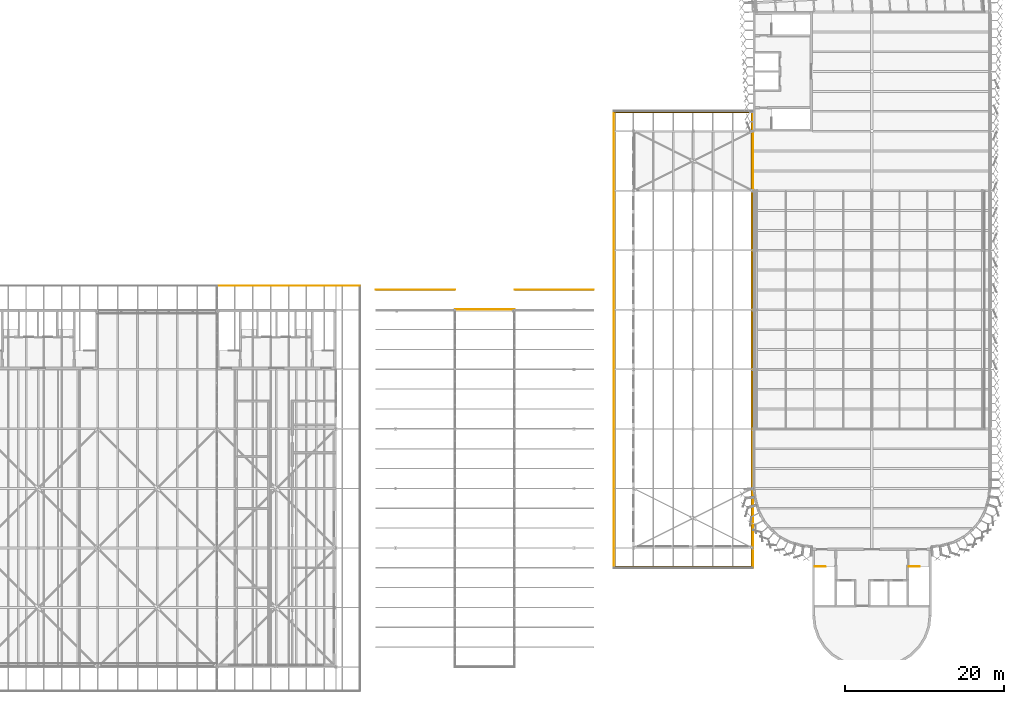
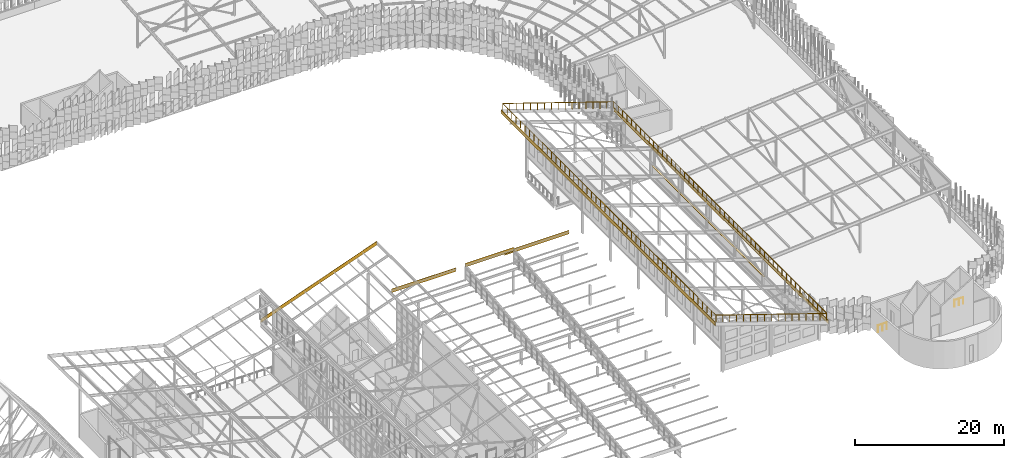
# One storey, part 467 of 483: 10 coverings, 3 railings.
"""IFC4 building model written with IfcOpenShell, lengths in metres."""

from ifc_helpers import new_model, si_unit, direction, frame, origin, origin_2d, place, context, subcontext, project, spatial, polyline, circle, outline, extrude, material, layer, layer_set, type_object, element, save


model = new_model("IFC4")

# Units and contexts
model_context = context("Model", 3, precision=1e-05, world=origin(), true_north=direction((0.0, 1.0)))
body_context = subcontext(model_context, "Body", "Model", "MODEL_VIEW")
ifc_project = project(units=[si_unit("LENGTHUNIT", "METRE"), si_unit("AREAUNIT", "SQUARE_METRE"), si_unit("VOLUMEUNIT", "CUBIC_METRE"), si_unit("PLANEANGLEUNIT", "RADIAN"), si_unit("MASSUNIT", "GRAM", prefix="KILO")], contexts=[model_context])

# Site, building, storey
site_placement = place(None, origin())
site = spatial("IfcSite", under=ifc_project, at=site_placement, CompositionType="ELEMENT")
building_placement = place(site_placement, origin())
building = spatial("IfcBuilding", under=site, at=building_placement, Name="Parallax Yard Mobility Hub", CompositionType="ELEMENT")
storey_placement = place(building_placement, frame((0.0, 0.0, 13.199951171875)))
storey = spatial("IfcBuildingStorey", under=building, at=storey_placement, Name="L04", CompositionType="ELEMENT", Elevation=13.199951171875)

# Coverings
ifc_material_1 = material(Name="Concrete fc' 35 MPa", Category="concrete")
ifc_layer_1 = layer(ifc_material_1, 0.06005859375)
ifc_layer_set_1 = layer_set([ifc_layer_1], Name="Parapet coping, Concrete fc' 35 MPa precast, 240")
covering_type_1 = type_object("IfcCoveringType", Name="Parapet coping, Concrete fc' 35 MPa precast, 240", PredefinedType="USERDEFINED", material=ifc_layer_set_1)
covering_1_placement = place(storey_placement, frame((0.0, 0.0, 1.199951171875)))
element("IfcCovering", 1, at=covering_1_placement, inside=storey, type_object=covering_type_1, Name="Parapet coping run 3 part 1", ObjectType="COPING", PredefinedType="USERDEFINED", context=body_context, shape_type="SweptSolid", body=[
    extrude(outline(polyline([(195.26611328125, 67.49951171875), (195.02587890625, 67.49951171875), (195.02587890625, 59.99951171875), (195.26611328125, 59.99951171875), (195.26611328125, 67.49951171875)])), origin(), (0.0, 0.0, 1.0), 0.06005859375),
])
covering_2_placement = place(storey_placement, frame((0.0, 0.0, 1.199951171875)))
element("IfcCovering", 2, at=covering_2_placement, inside=storey, type_object=covering_type_1, Name="Parapet coping run 3 part 2", ObjectType="COPING", PredefinedType="USERDEFINED", context=body_context, shape_type="SweptSolid", body=[
    extrude(outline(polyline([(195.26611328125, 59.99951171875), (195.02587890625, 59.99951171875), (195.02587890625, 52.49951171875), (195.26611328125, 52.49951171875), (195.26611328125, 59.99951171875)])), origin(), (0.0, 0.0, 1.0), 0.06005859375),
])
covering_3_placement = place(storey_placement, frame((0.0, 0.0, 1.199951171875)))
element("IfcCovering", 3, at=covering_3_placement, inside=storey, type_object=covering_type_1, Name="Parapet coping run 3 part 3", ObjectType="COPING", PredefinedType="USERDEFINED", context=body_context, shape_type="SweptSolid", body=[
    extrude(outline(polyline([(195.26611328125, 52.49951171875), (195.02587890625, 52.49951171875), (195.02587890625, 44.99951171875), (195.26611328125, 44.99951171875), (195.26611328125, 52.49951171875)])), origin(), (0.0, 0.0, 1.0), 0.06005859375),
])
covering_4_placement = place(storey_placement, frame((0.0, 0.0, 1.199951171875)))
element("IfcCovering", 4, at=covering_4_placement, inside=storey, type_object=covering_type_1, Name="Parapet coping run 3 part 4", ObjectType="COPING", PredefinedType="USERDEFINED", context=body_context, shape_type="SweptSolid", body=[
    extrude(outline(polyline([(195.26611328125, 44.99951171875), (195.02587890625, 44.99951171875), (195.02587890625, 37.49951171875), (195.26611328125, 37.49951171875), (195.26611328125, 44.99951171875)])), origin(), (0.0, 0.0, 1.0), 0.06005859375),
])

# Railing
ifc_material_2 = material(Name="Steel ASTM A36", Category="steel")
railing_type_1 = type_object("IfcRailingType", Name="Roof edge guard 1100", PredefinedType="GUARDRAIL", material=ifc_material_2)
railing_1_placement = place(storey_placement, frame((194.85009765625, 20.14990234375, 4.75244140625)))
element("IfcRailing", 5, at=railing_1_placement, inside=storey, type_object=railing_type_1, Name="Ramp house roof eave guard", PredefinedType="GUARDRAIL", context=body_context, shape_type="SweptSolid", body=[
    extrude(circle(Radius=0.02392578125, at=origin_2d()), frame((0.0, 0.0, 1.076171875), z_axis=(-0.948687337691, 0.0, 0.316215646838), x_axis=(0.0, -1.0, 0.0)), (0.0, 0.0, 1.0), 18.130615234375),
    extrude(circle(Radius=0.02392578125, at=origin_2d()), frame((-17.2001953125, 0.0, 6.80908203125), z_axis=(0.0, 1.0, 0.0), x_axis=(-1.0, 0.0, 0.0)), (0.0, 0.0, 1.0), 57.2001953125),
    extrude(circle(Radius=0.02392578125, at=origin_2d()), frame((-17.2001953125, 57.2001953125, 6.80908203125), z_axis=(0.948687337691, 0.0, -0.316215646838), x_axis=(0.0, 1.0, 0.0)), (0.0, 0.0, 1.0), 18.130615234375),
    extrude(circle(Radius=0.02392578125, at=origin_2d()), frame((0.0, 57.2001953125, 1.076171875), z_axis=(0.0, -1.0, 0.0), x_axis=(1.0, 0.0, 0.0)), (0.0, 0.0, 1.0), 57.10009765625),
    extrude(circle(Radius=0.02099609375, at=origin_2d()), origin(), (0.0, 0.0, 1.0), 1.052001953125),
    extrude(circle(Radius=0.02099609375, at=origin_2d()), frame((-1.074951171875, 0.0, 0.3583984375)), (0.0, 0.0, 1.0), 1.052001953125),
    extrude(circle(Radius=0.02099609375, at=origin_2d()), frame((-2.14990234375, 0.0, 0.716552734375)), (0.0, 0.0, 1.0), 1.052001953125),
    extrude(circle(Radius=0.02099609375, at=origin_2d()), frame((-3.22509765625, 0.0, 1.074951171875)), (0.0, 0.0, 1.0), 1.052001953125),
    extrude(circle(Radius=0.02099609375, at=origin_2d()), frame((-4.300048828125, 0.0, 1.433349609375)), (0.0, 0.0, 1.0), 1.052001953125),
    extrude(circle(Radius=0.02099609375, at=origin_2d()), frame((-5.375, 0.0, 1.79150390625)), (0.0, 0.0, 1.0), 1.052001953125),
    extrude(circle(Radius=0.02099609375, at=origin_2d()), frame((-6.4501953125, 0.0, 2.14990234375)), (0.0, 0.0, 1.0), 1.052001953125),
    extrude(circle(Radius=0.02099609375, at=origin_2d()), frame((-7.525146484375, 0.0, 2.50830078125)), (0.0, 0.0, 1.0), 1.052001953125),
    extrude(circle(Radius=0.02099609375, at=origin_2d()), frame((-8.60009765625, 0.0, 2.86669921875)), (0.0, 0.0, 1.0), 1.052001953125),
    extrude(circle(Radius=0.02099609375, at=origin_2d()), frame((-9.675048828125, 0.0, 3.224853515625)), (0.0, 0.0, 1.0), 1.052001953125),
    extrude(circle(Radius=0.02099609375, at=origin_2d()), frame((-10.75, 0.0, 3.583251953125)), (0.0, 0.0, 1.0), 1.052001953125),
    extrude(circle(Radius=0.02099609375, at=origin_2d()), frame((-11.8251953125, 0.0, 3.941650390625)), (0.0, 0.0, 1.0), 1.052001953125),
    extrude(circle(Radius=0.02099609375, at=origin_2d()), frame((-12.900146484375, 0.0, 4.2998046875)), (0.0, 0.0, 1.0), 1.052001953125),
    extrude(circle(Radius=0.02099609375, at=origin_2d()), frame((-13.97509765625, 0.0, 4.658203125)), (0.0, 0.0, 1.0), 1.052001953125),
    extrude(circle(Radius=0.02099609375, at=origin_2d()), frame((-15.05029296875, 0.0, 5.0166015625)), (0.0, 0.0, 1.0), 1.052001953125),
    extrude(circle(Radius=0.02099609375, at=origin_2d()), frame((-16.125244140625, 0.0, 5.374755859375)), (0.0, 0.0, 1.0), 1.052001953125),
    extrude(circle(Radius=0.02099609375, at=origin_2d()), frame((-17.2001953125, 0.0, 5.733154296875)), (0.0, 0.0, 1.0), 1.052001953125),
    extrude(circle(Radius=0.02099609375, at=origin_2d()), frame((-17.2001953125, 1.191650390625, 5.733154296875)), (0.0, 0.0, 1.0), 1.052001953125),
    extrude(circle(Radius=0.02099609375, at=origin_2d()), frame((-17.2001953125, 2.38330078125, 5.733154296875)), (0.0, 0.0, 1.0), 1.052001953125),
    extrude(circle(Radius=0.02099609375, at=origin_2d()), frame((-17.2001953125, 3.574951171875, 5.733154296875)), (0.0, 0.0, 1.0), 1.052001953125),
    extrude(circle(Radius=0.02099609375, at=origin_2d()), frame((-17.2001953125, 4.7666015625, 5.733154296875)), (0.0, 0.0, 1.0), 1.052001953125),
    extrude(circle(Radius=0.02099609375, at=origin_2d()), frame((-17.2001953125, 5.958251953125, 5.733154296875)), (0.0, 0.0, 1.0), 1.052001953125),
    extrude(circle(Radius=0.02099609375, at=origin_2d()), frame((-17.2001953125, 7.14990234375, 5.733154296875)), (0.0, 0.0, 1.0), 1.052001953125),
    extrude(circle(Radius=0.02099609375, at=origin_2d()), frame((-17.2001953125, 8.341796875, 5.733154296875)), (0.0, 0.0, 1.0), 1.052001953125),
    extrude(circle(Radius=0.02099609375, at=origin_2d()), frame((-17.2001953125, 9.533447265625, 5.733154296875)), (0.0, 0.0, 1.0), 1.052001953125),
    extrude(circle(Radius=0.02099609375, at=origin_2d()), frame((-17.2001953125, 10.72509765625, 5.733154296875)), (0.0, 0.0, 1.0), 1.052001953125),
    extrude(circle(Radius=0.02099609375, at=origin_2d()), frame((-17.2001953125, 11.916748046875, 5.733154296875)), (0.0, 0.0, 1.0), 1.052001953125),
    extrude(circle(Radius=0.02099609375, at=origin_2d()), frame((-17.2001953125, 13.1083984375, 5.733154296875)), (0.0, 0.0, 1.0), 1.052001953125),
    extrude(circle(Radius=0.02099609375, at=origin_2d()), frame((-17.2001953125, 14.300048828125, 5.733154296875)), (0.0, 0.0, 1.0), 1.052001953125),
    extrude(circle(Radius=0.02099609375, at=origin_2d()), frame((-17.2001953125, 15.49169921875, 5.733154296875)), (0.0, 0.0, 1.0), 1.052001953125),
    extrude(circle(Radius=0.02099609375, at=origin_2d()), frame((-17.2001953125, 16.683349609375, 5.733154296875)), (0.0, 0.0, 1.0), 1.052001953125),
    extrude(circle(Radius=0.02099609375, at=origin_2d()), frame((-17.2001953125, 17.875, 5.733154296875)), (0.0, 0.0, 1.0), 1.052001953125),
    extrude(circle(Radius=0.02099609375, at=origin_2d()), frame((-17.2001953125, 19.066650390625, 5.733154296875)), (0.0, 0.0, 1.0), 1.052001953125),
    extrude(circle(Radius=0.02099609375, at=origin_2d()), frame((-17.2001953125, 20.25830078125, 5.733154296875)), (0.0, 0.0, 1.0), 1.052001953125),
    extrude(circle(Radius=0.02099609375, at=origin_2d()), frame((-17.2001953125, 21.4501953125, 5.733154296875)), (0.0, 0.0, 1.0), 1.052001953125),
    extrude(circle(Radius=0.02099609375, at=origin_2d()), frame((-17.2001953125, 22.641845703125, 5.733154296875)), (0.0, 0.0, 1.0), 1.052001953125),
    extrude(circle(Radius=0.02099609375, at=origin_2d()), frame((-17.2001953125, 23.83349609375, 5.733154296875)), (0.0, 0.0, 1.0), 1.052001953125),
    extrude(circle(Radius=0.02099609375, at=origin_2d()), frame((-17.2001953125, 25.025146484375, 5.733154296875)), (0.0, 0.0, 1.0), 1.052001953125),
    extrude(circle(Radius=0.02099609375, at=origin_2d()), frame((-17.2001953125, 26.216796875, 5.733154296875)), (0.0, 0.0, 1.0), 1.052001953125),
    extrude(circle(Radius=0.02099609375, at=origin_2d()), frame((-17.2001953125, 27.408447265625, 5.733154296875)), (0.0, 0.0, 1.0), 1.052001953125),
    extrude(circle(Radius=0.02099609375, at=origin_2d()), frame((-17.2001953125, 28.60009765625, 5.733154296875)), (0.0, 0.0, 1.0), 1.052001953125),
    extrude(circle(Radius=0.02099609375, at=origin_2d()), frame((-17.2001953125, 29.791748046875, 5.733154296875)), (0.0, 0.0, 1.0), 1.052001953125),
    extrude(circle(Radius=0.02099609375, at=origin_2d()), frame((-17.2001953125, 30.9833984375, 5.733154296875)), (0.0, 0.0, 1.0), 1.052001953125),
    extrude(circle(Radius=0.02099609375, at=origin_2d()), frame((-17.2001953125, 32.175048828125, 5.733154296875)), (0.0, 0.0, 1.0), 1.052001953125),
    extrude(circle(Radius=0.02099609375, at=origin_2d()), frame((-17.2001953125, 33.36669921875, 5.733154296875)), (0.0, 0.0, 1.0), 1.052001953125),
    extrude(circle(Radius=0.02099609375, at=origin_2d()), frame((-17.2001953125, 34.558349609375, 5.733154296875)), (0.0, 0.0, 1.0), 1.052001953125),
    extrude(circle(Radius=0.02099609375, at=origin_2d()), frame((-17.2001953125, 35.75, 5.733154296875)), (0.0, 0.0, 1.0), 1.052001953125),
    extrude(circle(Radius=0.02099609375, at=origin_2d()), frame((-17.2001953125, 36.94189453125, 5.733154296875)), (0.0, 0.0, 1.0), 1.052001953125),
    extrude(circle(Radius=0.02099609375, at=origin_2d()), frame((-17.2001953125, 38.133544921875, 5.733154296875)), (0.0, 0.0, 1.0), 1.052001953125),
    extrude(circle(Radius=0.02099609375, at=origin_2d()), frame((-17.2001953125, 39.3251953125, 5.733154296875)), (0.0, 0.0, 1.0), 1.052001953125),
    extrude(circle(Radius=0.02099609375, at=origin_2d()), frame((-17.2001953125, 40.516845703125, 5.733154296875)), (0.0, 0.0, 1.0), 1.052001953125),
    extrude(circle(Radius=0.02099609375, at=origin_2d()), frame((-17.2001953125, 41.70849609375, 5.733154296875)), (0.0, 0.0, 1.0), 1.052001953125),
    extrude(circle(Radius=0.02099609375, at=origin_2d()), frame((-17.2001953125, 42.900146484375, 5.733154296875)), (0.0, 0.0, 1.0), 1.052001953125),
    extrude(circle(Radius=0.02099609375, at=origin_2d()), frame((-17.2001953125, 44.091796875, 5.733154296875)), (0.0, 0.0, 1.0), 1.052001953125),
    extrude(circle(Radius=0.02099609375, at=origin_2d()), frame((-17.2001953125, 45.283447265625, 5.733154296875)), (0.0, 0.0, 1.0), 1.052001953125),
    extrude(circle(Radius=0.02099609375, at=origin_2d()), frame((-17.2001953125, 46.47509765625, 5.733154296875)), (0.0, 0.0, 1.0), 1.052001953125),
    extrude(circle(Radius=0.02099609375, at=origin_2d()), frame((-17.2001953125, 47.666748046875, 5.733154296875)), (0.0, 0.0, 1.0), 1.052001953125),
    extrude(circle(Radius=0.02099609375, at=origin_2d()), frame((-17.2001953125, 48.8583984375, 5.733154296875)), (0.0, 0.0, 1.0), 1.052001953125),
    extrude(circle(Radius=0.02099609375, at=origin_2d()), frame((-17.2001953125, 50.05029296875, 5.733154296875)), (0.0, 0.0, 1.0), 1.052001953125),
    extrude(circle(Radius=0.02099609375, at=origin_2d()), frame((-17.2001953125, 51.241943359375, 5.733154296875)), (0.0, 0.0, 1.0), 1.052001953125),
    extrude(circle(Radius=0.02099609375, at=origin_2d()), frame((-17.2001953125, 52.43359375, 5.733154296875)), (0.0, 0.0, 1.0), 1.052001953125),
    extrude(circle(Radius=0.02099609375, at=origin_2d()), frame((-17.2001953125, 53.625244140625, 5.733154296875)), (0.0, 0.0, 1.0), 1.052001953125),
    extrude(circle(Radius=0.02099609375, at=origin_2d()), frame((-17.2001953125, 54.81689453125, 5.733154296875)), (0.0, 0.0, 1.0), 1.052001953125),
    extrude(circle(Radius=0.02099609375, at=origin_2d()), frame((-17.2001953125, 56.008544921875, 5.733154296875)), (0.0, 0.0, 1.0), 1.052001953125),
    extrude(circle(Radius=0.02099609375, at=origin_2d()), frame((-17.2001953125, 57.2001953125, 5.733154296875)), (0.0, 0.0, 1.0), 1.052001953125),
    extrude(circle(Radius=0.02099609375, at=origin_2d()), frame((-16.125244140625, 57.2001953125, 5.374755859375)), (0.0, 0.0, 1.0), 1.052001953125),
    extrude(circle(Radius=0.02099609375, at=origin_2d()), frame((-15.05029296875, 57.2001953125, 5.0166015625)), (0.0, 0.0, 1.0), 1.052001953125),
    extrude(circle(Radius=0.02099609375, at=origin_2d()), frame((-13.97509765625, 57.2001953125, 4.658203125)), (0.0, 0.0, 1.0), 1.052001953125),
    extrude(circle(Radius=0.02099609375, at=origin_2d()), frame((-12.900146484375, 57.2001953125, 4.2998046875)), (0.0, 0.0, 1.0), 1.052001953125),
    extrude(circle(Radius=0.02099609375, at=origin_2d()), frame((-11.8251953125, 57.2001953125, 3.941650390625)), (0.0, 0.0, 1.0), 1.052001953125),
    extrude(circle(Radius=0.02099609375, at=origin_2d()), frame((-10.75, 57.2001953125, 3.583251953125)), (0.0, 0.0, 1.0), 1.052001953125),
    extrude(circle(Radius=0.02099609375, at=origin_2d()), frame((-9.675048828125, 57.2001953125, 3.224853515625)), (0.0, 0.0, 1.0), 1.052001953125),
    extrude(circle(Radius=0.02099609375, at=origin_2d()), frame((-8.60009765625, 57.2001953125, 2.86669921875)), (0.0, 0.0, 1.0), 1.052001953125),
    extrude(circle(Radius=0.02099609375, at=origin_2d()), frame((-7.525146484375, 57.2001953125, 2.50830078125)), (0.0, 0.0, 1.0), 1.052001953125),
    extrude(circle(Radius=0.02099609375, at=origin_2d()), frame((-6.4501953125, 57.2001953125, 2.14990234375)), (0.0, 0.0, 1.0), 1.052001953125),
    extrude(circle(Radius=0.02099609375, at=origin_2d()), frame((-5.375, 57.2001953125, 1.79150390625)), (0.0, 0.0, 1.0), 1.052001953125),
    extrude(circle(Radius=0.02099609375, at=origin_2d()), frame((-4.300048828125, 57.2001953125, 1.433349609375)), (0.0, 0.0, 1.0), 1.052001953125),
    extrude(circle(Radius=0.02099609375, at=origin_2d()), frame((-3.22509765625, 57.2001953125, 1.074951171875)), (0.0, 0.0, 1.0), 1.052001953125),
    extrude(circle(Radius=0.02099609375, at=origin_2d()), frame((-2.14990234375, 57.2001953125, 0.716552734375)), (0.0, 0.0, 1.0), 1.052001953125),
    extrude(circle(Radius=0.02099609375, at=origin_2d()), frame((-1.074951171875, 57.2001953125, 0.3583984375)), (0.0, 0.0, 1.0), 1.052001953125),
    extrude(circle(Radius=0.02099609375, at=origin_2d()), frame((0.0, 57.2001953125, 0.0)), (0.0, 0.0, 1.0), 1.052001953125),
    extrude(circle(Radius=0.02099609375, at=origin_2d()), frame((0.0, 56.010498046875, 0.0)), (0.0, 0.0, 1.0), 1.052001953125),
    extrude(circle(Radius=0.02099609375, at=origin_2d()), frame((0.0, 54.821044921875, 0.0)), (0.0, 0.0, 1.0), 1.052001953125),
    extrude(circle(Radius=0.02099609375, at=origin_2d()), frame((0.0, 53.63134765625, 0.0)), (0.0, 0.0, 1.0), 1.052001953125),
    extrude(circle(Radius=0.02099609375, at=origin_2d()), frame((0.0, 52.44189453125, 0.0)), (0.0, 0.0, 1.0), 1.052001953125),
    extrude(circle(Radius=0.02099609375, at=origin_2d()), frame((0.0, 51.252197265625, 0.0)), (0.0, 0.0, 1.0), 1.052001953125),
    extrude(circle(Radius=0.02099609375, at=origin_2d()), frame((0.0, 50.062744140625, 0.0)), (0.0, 0.0, 1.0), 1.052001953125),
    extrude(circle(Radius=0.02099609375, at=origin_2d()), frame((0.0, 48.873046875, 0.0)), (0.0, 0.0, 1.0), 1.052001953125),
    extrude(circle(Radius=0.02099609375, at=origin_2d()), frame((0.0, 47.68359375, 0.0)), (0.0, 0.0, 1.0), 1.052001953125),
    extrude(circle(Radius=0.02099609375, at=origin_2d()), frame((0.0, 46.493896484375, 0.0)), (0.0, 0.0, 1.0), 1.052001953125),
    extrude(circle(Radius=0.02099609375, at=origin_2d()), frame((0.0, 45.304443359375, 0.0)), (0.0, 0.0, 1.0), 1.052001953125),
    extrude(circle(Radius=0.02099609375, at=origin_2d()), frame((0.0, 44.11474609375, 0.0)), (0.0, 0.0, 1.0), 1.052001953125),
    extrude(circle(Radius=0.02099609375, at=origin_2d()), frame((0.0, 42.92529296875, 0.0)), (0.0, 0.0, 1.0), 1.052001953125),
    extrude(circle(Radius=0.02099609375, at=origin_2d()), frame((0.0, 41.735595703125, 0.0)), (0.0, 0.0, 1.0), 1.052001953125),
    extrude(circle(Radius=0.02099609375, at=origin_2d()), frame((0.0, 40.5458984375, 0.0)), (0.0, 0.0, 1.0), 1.052001953125),
    extrude(circle(Radius=0.02099609375, at=origin_2d()), frame((0.0, 39.3564453125, 0.0)), (0.0, 0.0, 1.0), 1.052001953125),
    extrude(circle(Radius=0.02099609375, at=origin_2d()), frame((0.0, 38.166748046875, 0.0)), (0.0, 0.0, 1.0), 1.052001953125),
    extrude(circle(Radius=0.02099609375, at=origin_2d()), frame((0.0, 36.977294921875, 0.0)), (0.0, 0.0, 1.0), 1.052001953125),
    extrude(circle(Radius=0.02099609375, at=origin_2d()), frame((0.0, 35.78759765625, 0.0)), (0.0, 0.0, 1.0), 1.052001953125),
    extrude(circle(Radius=0.02099609375, at=origin_2d()), frame((0.0, 34.59814453125, 0.0)), (0.0, 0.0, 1.0), 1.052001953125),
    extrude(circle(Radius=0.02099609375, at=origin_2d()), frame((0.0, 33.408447265625, 0.0)), (0.0, 0.0, 1.0), 1.052001953125),
    extrude(circle(Radius=0.02099609375, at=origin_2d()), frame((0.0, 32.218994140625, 0.0)), (0.0, 0.0, 1.0), 1.052001953125),
    extrude(circle(Radius=0.02099609375, at=origin_2d()), frame((0.0, 31.029296875, 0.0)), (0.0, 0.0, 1.0), 1.052001953125),
    extrude(circle(Radius=0.02099609375, at=origin_2d()), frame((0.0, 29.83984375, 0.0)), (0.0, 0.0, 1.0), 1.052001953125),
    extrude(circle(Radius=0.02099609375, at=origin_2d()), frame((0.0, 28.650146484375, 0.0)), (0.0, 0.0, 1.0), 1.052001953125),
    extrude(circle(Radius=0.02099609375, at=origin_2d()), frame((0.0, 27.46044921875, 0.0)), (0.0, 0.0, 1.0), 1.052001953125),
    extrude(circle(Radius=0.02099609375, at=origin_2d()), frame((0.0, 26.27099609375, 0.0)), (0.0, 0.0, 1.0), 1.052001953125),
    extrude(circle(Radius=0.02099609375, at=origin_2d()), frame((0.0, 25.081298828125, 0.0)), (0.0, 0.0, 1.0), 1.052001953125),
    extrude(circle(Radius=0.02099609375, at=origin_2d()), frame((0.0, 23.891845703125, 0.0)), (0.0, 0.0, 1.0), 1.052001953125),
    extrude(circle(Radius=0.02099609375, at=origin_2d()), frame((0.0, 22.7021484375, 0.0)), (0.0, 0.0, 1.0), 1.052001953125),
    extrude(circle(Radius=0.02099609375, at=origin_2d()), frame((0.0, 21.5126953125, 0.0)), (0.0, 0.0, 1.0), 1.052001953125),
    extrude(circle(Radius=0.02099609375, at=origin_2d()), frame((0.0, 20.322998046875, 0.0)), (0.0, 0.0, 1.0), 1.052001953125),
    extrude(circle(Radius=0.02099609375, at=origin_2d()), frame((0.0, 19.133544921875, 0.0)), (0.0, 0.0, 1.0), 1.052001953125),
    extrude(circle(Radius=0.02099609375, at=origin_2d()), frame((0.0, 17.94384765625, 0.0)), (0.0, 0.0, 1.0), 1.052001953125),
    extrude(circle(Radius=0.02099609375, at=origin_2d()), frame((0.0, 16.75439453125, 0.0)), (0.0, 0.0, 1.0), 1.052001953125),
    extrude(circle(Radius=0.02099609375, at=origin_2d()), frame((0.0, 15.564697265625, 0.0)), (0.0, 0.0, 1.0), 1.052001953125),
    extrude(circle(Radius=0.02099609375, at=origin_2d()), frame((0.0, 14.375, 0.0)), (0.0, 0.0, 1.0), 1.052001953125),
    extrude(circle(Radius=0.02099609375, at=origin_2d()), frame((0.0, 13.185546875, 0.0)), (0.0, 0.0, 1.0), 1.052001953125),
    extrude(circle(Radius=0.02099609375, at=origin_2d()), frame((0.0, 11.995849609375, 0.0)), (0.0, 0.0, 1.0), 1.052001953125),
    extrude(circle(Radius=0.02099609375, at=origin_2d()), frame((0.0, 10.806396484375, 0.0)), (0.0, 0.0, 1.0), 1.052001953125),
    extrude(circle(Radius=0.02099609375, at=origin_2d()), frame((0.0, 9.61669921875, 0.0)), (0.0, 0.0, 1.0), 1.052001953125),
    extrude(circle(Radius=0.02099609375, at=origin_2d()), frame((0.0, 8.42724609375, 0.0)), (0.0, 0.0, 1.0), 1.052001953125),
    extrude(circle(Radius=0.02099609375, at=origin_2d()), frame((0.0, 7.237548828125, 0.0)), (0.0, 0.0, 1.0), 1.052001953125),
    extrude(circle(Radius=0.02099609375, at=origin_2d()), frame((0.0, 6.048095703125, 0.0)), (0.0, 0.0, 1.0), 1.052001953125),
    extrude(circle(Radius=0.02099609375, at=origin_2d()), frame((0.0, 4.8583984375, 0.0)), (0.0, 0.0, 1.0), 1.052001953125),
    extrude(circle(Radius=0.02099609375, at=origin_2d()), frame((0.0, 3.6689453125, 0.0)), (0.0, 0.0, 1.0), 1.052001953125),
    extrude(circle(Radius=0.02099609375, at=origin_2d()), frame((0.0, 2.479248046875, 0.0)), (0.0, 0.0, 1.0), 1.052001953125),
    extrude(circle(Radius=0.02099609375, at=origin_2d()), frame((0.0, 1.289794921875, 0.0)), (0.0, 0.0, 1.0), 1.052001953125),
    extrude(circle(Radius=0.02099609375, at=origin_2d()), frame((0.0, 0.10009765625, 0.0)), (0.0, 0.0, 1.0), 1.052001953125),
])

# Coverings
ifc_material_3 = material(Name="Aluminium composite fascia panel", Category="aluminium")
ifc_layer_2 = layer(ifc_material_3, 0.0400390625)
ifc_layer_set_2 = layer_set([ifc_layer_2], Name="Roof fascia 600")
covering_type_2 = type_object("IfcCoveringType", Name="Roof fascia 600", PredefinedType="CLADDING", material=ifc_layer_set_2)
covering_5_placement = place(storey_placement, frame((145.5, 55.5, 13.493896484375), z_axis=(0.0, -1.0, 0.0), x_axis=(-0.940887737235, 0.0, -0.338718564476)))
element("IfcCovering", 6, at=covering_5_placement, inside=storey, type_object=covering_type_2, Name="Fascia on roof edge V3-P-PL edge 3", PredefinedType="CLADDING", context=body_context, shape_type="SweptSolid", body=[
    extrude(outline(polyline([(0.0, 0.0), (19.13086895243866, -8.881784197001252e-16), (19.33413316910912, 0.5646245259091103), (0.20326421667045916, 0.5646245259091105), (0.0, 0.0)])), origin(), (0.0, 0.0, -1.0), 0.0400390625),
])
for number, where, z_axis, x_axis, name in (
    (7, (157.5, 55.0, 5.254150390625), (0.0, -1.0, 0.0), (-1.0, 0.0, 0.0), "Fascia on roof edge V5-W-PL edge 3"),
    (8, (175.0, 55.0, 5.254150390625), (0.0, -1.0, 0.0), (-1.0, 0.0, 0.0), "Fascia on roof edge V5-E-PL edge 3"),
):
    element("IfcCovering", number, at=place(storey_placement, frame(where, z_axis=z_axis, x_axis=x_axis)), inside=storey, type_object=covering_type_2, Name=name, PredefinedType="CLADDING", context=body_context, shape_type="SweptSolid", body=[
        extrude(outline(polyline([(0.0, 0.0), (10.0, 0.0), (10.0, 0.60009765625), (0.0, 0.60009765625), (0.0, 0.0)])), origin(), (0.0, 0.0, -1.0), 0.0400390625),
    ])
covering_6_placement = place(storey_placement, frame((165.0, 52.5, 7.476318359375), z_axis=(0.0, -1.0, 0.0), x_axis=(-1.0, 0.0, 0.0)))
element("IfcCovering", 9, at=covering_6_placement, inside=storey, type_object=covering_type_2, Name="Fascia on roof edge V5-M-PL edge 3", PredefinedType="CLADDING", context=body_context, shape_type="SweptSolid", body=[
    extrude(outline(polyline([(0.0, 0.0), (7.5, 0.0), (7.5, 0.599853515625), (0.0, 0.599853515625), (0.0, 0.0)])), origin(), (0.0, 0.0, -1.0), 0.0400390625),
])
for number, where, z_axis, x_axis, name in (
    (10, (195.0, 20.0, 4.702392578125), (-1.0, 0.0, 0.0), (0.0, 1.0, 0.0), "Fascia on roof edge V2-PL edge 2"),
    (11, (177.5, 77.5, 10.53564453125), (1.0, 0.0, 0.0), (0.0, -1.0, 0.0), "Fascia on roof edge V2-PL edge 4"),
):
    element("IfcCovering", number, at=place(storey_placement, frame(where, z_axis=z_axis, x_axis=x_axis)), inside=storey, type_object=covering_type_2, Name=name, PredefinedType="CLADDING", context=body_context, shape_type="SweptSolid", body=[
        extrude(outline(polyline([(0.0, 0.0), (57.5, 0.0), (57.5, 0.60009765625), (0.0, 0.60009765625), (0.0, 0.0)])), origin(), (0.0, 0.0, -1.0), 0.0400390625),
    ])

# Railings
railing_type_2 = type_object("IfcRailingType", Name="Stair guard 1100", PredefinedType="GUARDRAIL", material=ifc_material_2)
railing_2_placement = place(storey_placement, frame((214.64990234375, 20.14990234375, 0.0)))
element("IfcRailing", 12, at=railing_2_placement, inside=storey, type_object=railing_type_2, Name="L04 ST9 top well guard 1", PredefinedType="GUARDRAIL", context=body_context, shape_type="SweptSolid", body=[
    extrude(circle(Radius=0.02392578125, at=origin_2d()), frame((0.0, 0.0, 1.076171875), z_axis=(1.0, 0.0, 0.0), x_axis=(0.0, 1.0, 0.0)), (0.0, 0.0, 1.0), 1.35009765625),
    extrude(circle(Radius=0.02099609375, at=origin_2d()), origin(), (0.0, 0.0, 1.0), 1.052001953125),
    extrude(circle(Radius=0.02099609375, at=origin_2d()), frame((0.675048828125, 0.0, 0.0)), (0.0, 0.0, 1.0), 1.052001953125),
    extrude(circle(Radius=0.02099609375, at=origin_2d()), frame((1.35009765625, 0.0, 0.0)), (0.0, 0.0, 1.0), 1.052001953125),
])
railing_3_placement = place(storey_placement, frame((202.800048828125, 20.14990234375, 0.0)))
element("IfcRailing", 13, at=railing_3_placement, inside=storey, type_object=railing_type_2, Name="L04 ST10 top well guard 1", PredefinedType="GUARDRAIL", context=body_context, shape_type="SweptSolid", body=[
    extrude(circle(Radius=0.02392578125, at=origin_2d()), frame((0.0, 0.0, 1.076171875), z_axis=(1.0, 0.0, 0.0), x_axis=(0.0, 1.0, 0.0)), (0.0, 0.0, 1.0), 1.349853515625),
    extrude(circle(Radius=0.02099609375, at=origin_2d()), origin(), (0.0, 0.0, 1.0), 1.052001953125),
    extrude(circle(Radius=0.02099609375, at=origin_2d()), frame((0.6748046875, 0.0, 0.0)), (0.0, 0.0, 1.0), 1.052001953125),
    extrude(circle(Radius=0.02099609375, at=origin_2d()), frame((1.349853515625, 0.0, 0.0)), (0.0, 0.0, 1.0), 1.052001953125),
])

save(model, "model.ifc")
